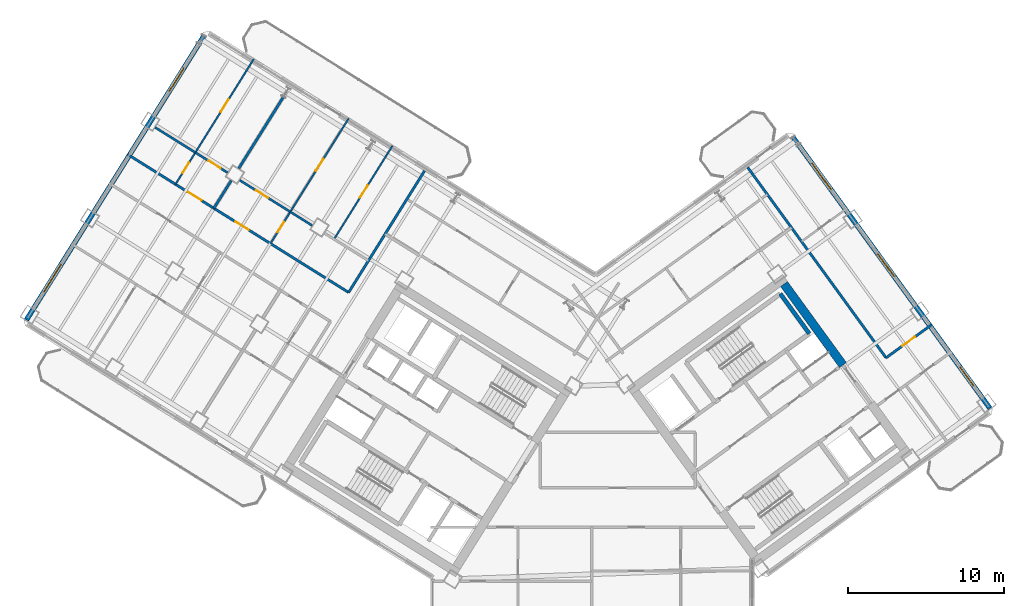
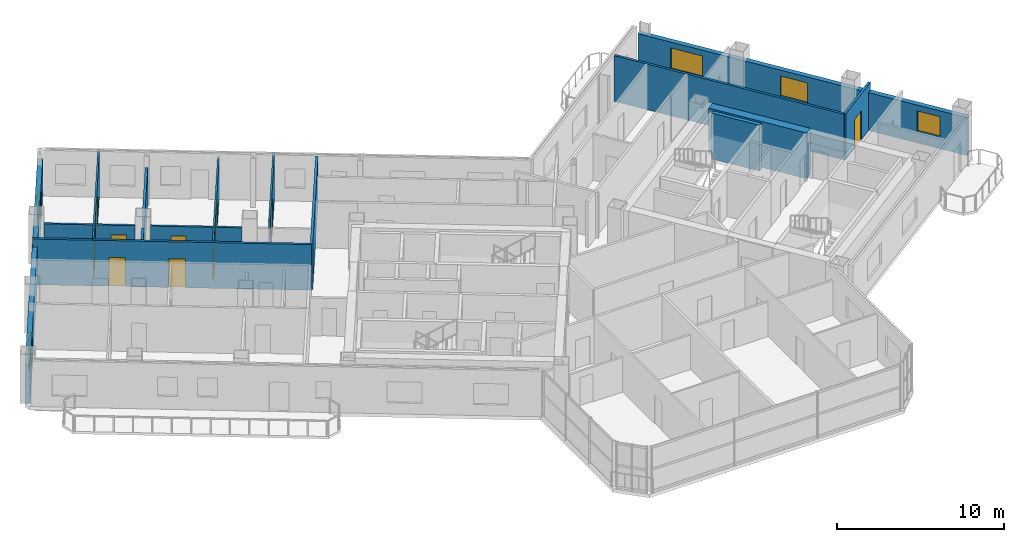
# One storey, part 15 of 21: 17 walls, 10 doors, 5 windows, 15 openings.
"""IFC4 building model written with IfcOpenShell, lengths in metres."""

from ifc_helpers import new_model, si_unit, direction, frame, frame_2d, origin, place, context, subcontext, project, spatial, rectangle, extrude, source, transform, mapped, material, layer, layer_set, type_object, element, fill, save


model = new_model("IFC4")

# Units and contexts
model_context = context("Model", 3, precision=1e-05, world=origin(), true_north=direction((0.0, 1.0)))
body_context = subcontext(model_context, "Body", "Model", "MODEL_VIEW")
ifc_project = project(units=[si_unit("LENGTHUNIT", "METRE"), si_unit("AREAUNIT", "SQUARE_METRE"), si_unit("VOLUMEUNIT", "CUBIC_METRE"), si_unit("PLANEANGLEUNIT", "RADIAN"), si_unit("MASSUNIT", "GRAM", prefix="KILO")], contexts=[model_context])

# Site, building, storey
site_placement = place(None, origin())
site = spatial("IfcSite", under=ifc_project, at=site_placement, CompositionType="ELEMENT")
building_placement = place(site_placement, origin())
building = spatial("IfcBuilding", under=site, at=building_placement, Name="Tlacorven Tower", CompositionType="ELEMENT")
storey_placement = place(building_placement, frame((0.0, 0.0, 119.699951171875)))
storey = spatial("IfcBuildingStorey", under=building, at=storey_placement, Name="L30", CompositionType="ELEMENT", Elevation=119.699951171875)

# Walls
ifc_material_1 = material(Name="Concrete C60/75", Category="concrete")
ifc_layer_1 = layer(ifc_material_1, 0.550048828125)
ifc_layer_set_1 = layer_set([ifc_layer_1], Name="Concrete C60/75")
wall_type_1 = type_object("IfcWallType", Name="WL-COR-550", PredefinedType="SHEAR", material=ifc_layer_set_1)
wall_1_placement = place(storey_placement, frame((58.06396484375, 25.8134765625, 0.0), z_axis=(0.0, 0.0, 1.0), x_axis=(-0.587764933797, 0.809031756236, 0.0)))
element("IfcWall", 1, at=wall_1_placement, inside=storey, type_object=wall_type_1, Name="L30 E core end wall E2.2", PredefinedType="SHEAR", context=body_context, shape_type="SweptSolid", body=[
    extrude(rectangle(XDim=6.425048828125, YDim=0.550048828125, at=frame_2d((3.21240234375, 0.0))), origin(), (0.0, 0.0, 1.0), 3.35009765625),
])
ifc_material_2 = material(Name="Gypsum plasterboard acoustic partition", Category="gypsum")
ifc_layer_2 = layer(ifc_material_2, 0.159912109375)
ifc_layer_set_2 = layer_set([ifc_layer_2], Name="Gypsum plasterboard acoustic partition")
wall_type_2 = type_object("IfcWallType", Name="WL-DEM-160", PredefinedType="PARTITIONING", material=ifc_layer_set_2)
wall_2_placement = place(storey_placement, frame((31.238525390625, 38.27392578125, 0.0), z_axis=(0.0, 0.0, 1.0), x_axis=(-0.529920220799, -0.848047498427, 0.0)))
element("IfcWall", 2, at=wall_2_placement, inside=storey, type_object=wall_type_2, Name="L30 partition 45", PredefinedType="PARTITIONING", context=body_context, shape_type="SweptSolid", body=[
    extrude(rectangle(XDim=9.199951171875, YDim=0.159912109375, at=frame_2d((4.60009765625, 0.0))), origin(), (0.0, 0.0, 1.0), 3.340087890625),
])

# Wall, openings, doors
wall_3_placement = place(storey_placement, frame((26.36328125, 30.471923828125, 0.0), z_axis=(0.0, 0.0, 1.0), x_axis=(-0.848052408131, 0.529912363569, 0.0)))
wall_3 = element("IfcWall", 3, at=wall_3_placement, inside=storey, type_object=wall_type_2, Name="L30 Wing W Corridor South Wall", PredefinedType="PARTITIONING", context=body_context, shape_type="SweptSolid", body=[
    extrude(rectangle(XDim=16.72998046875, YDim=0.159912109375, at=frame_2d((8.364990234375, 0.0))), origin(), (0.0, 0.0, 1.0), 3.340087890625),
])
opening_1_placement = place(wall_3_placement, frame((7.550048828125, 0.0, 0.0)))
opening_1 = element("IfcOpeningElement", 4, at=opening_1_placement, cuts=wall_3, Name="Opening D11", PredefinedType="OPENING", context=body_context, shape_type="SweptSolid", body=[
    extrude(rectangle(XDim=1.0, YDim=2.10009765625, at=frame_2d((0.5, 1.050048828125))), frame((0.0, 0.08984375, 0.0), z_axis=(0.0, -1.0, 0.0), x_axis=(1.0, 0.0, 0.0)), (0.0, 0.0, 1.0), 0.179931640625),
])
opening_2_placement = place(wall_3_placement, frame((11.139892578125, 0.0, 0.0)))
opening_2 = element("IfcOpeningElement", 5, at=opening_2_placement, cuts=wall_3, Name="Opening D11", PredefinedType="OPENING", context=body_context, shape_type="SweptSolid", body=[
    extrude(rectangle(XDim=1.0, YDim=2.10009765625, at=frame_2d((0.5, 1.050048828125))), frame((0.0, 0.08984375, 0.0), z_axis=(0.0, -1.0, 0.0), x_axis=(1.0, 0.0, 0.0)), (0.0, 0.0, 1.0), 0.179931640625),
])
ifc_material_3 = material(Name="Fire-rated steel door assembly", Category="steel")
door_type_1 = type_object("IfcDoorType", Name="DR-FLT-FD60-1000", OperationType="NOTDEFINED", PredefinedType="DOOR", material=ifc_material_3)
shared_shape_1 = source(origin(), body_context, "Body", "SweptSolid", [
    extrude(rectangle(XDim=1.0, YDim=2.10009765625, at=frame_2d((0.5, 1.050048828125))), frame((0.0, 0.02490234375, 0.0), z_axis=(0.0, -1.0, 0.0), x_axis=(1.0, 0.0, 0.0)), (0.0, 0.0, 1.0), 0.050048828125),
])
door_1_placement = place(opening_1_placement, origin())
door_1 = element("IfcDoor", 6, at=door_1_placement, inside=storey, type_object=door_type_1, Name="L30 door 030", OperationType="SINGLE_SWING_LEFT", OverallHeight=2.10009765625, OverallWidth=1.0, PredefinedType="DOOR", context=body_context, shape_type="MappedRepresentation", body=[
    mapped(shared_shape_1, transform((0.0, 0.0, 0.0), scale=1.0)),
])
fill(opening_1, door_1)
door_2_placement = place(opening_2_placement, origin())
door_2 = element("IfcDoor", 7, at=door_2_placement, inside=storey, type_object=door_type_1, Name="L30 door 036", OperationType="SINGLE_SWING_LEFT", OverallHeight=2.10009765625, OverallWidth=1.0, PredefinedType="DOOR", context=body_context, shape_type="MappedRepresentation", body=[
    mapped(shared_shape_1, transform((0.0, 0.0, 0.0), scale=1.0)),
])
fill(opening_2, door_2)

# Walls
wall_4_placement = place(storey_placement, frame((22.179931640625, 43.00634765625, 0.0), z_axis=(0.0, 0.0, 1.0), x_axis=(-0.529913610495, -0.848051628978, 0.0)))
element("IfcWall", 8, at=wall_4_placement, inside=storey, type_object=wall_type_2, Name="L30 WS Demising Wall 1", PredefinedType="PARTITIONING", context=body_context, shape_type="SweptSolid", body=[
    extrude(rectangle(XDim=5.40087890625, YDim=0.159912109375, at=frame_2d((2.700439453125, 0.0))), origin(), (0.0, 0.0, 1.0), 2.775146484375),
])
wall_5_placement = place(storey_placement, frame((18.828125, 37.642578125, 0.0), z_axis=(0.0, 0.0, 1.0), x_axis=(-0.529904345651, -0.848057418139, 0.0)))
element("IfcWall", 9, at=wall_5_placement, inside=storey, type_object=wall_type_2, Name="L30 WS Demising Wall 1", PredefinedType="PARTITIONING", context=body_context, shape_type="SweptSolid", body=[
    extrude(rectangle(XDim=2.087890625, YDim=0.159912109375, at=frame_2d((1.0439453125, 0.0))), origin(), (0.0, 0.0, 1.0), 2.775146484375),
])
wall_6_placement = place(storey_placement, frame((60.829345703125, 26.277587890625, 0.0), z_axis=(0.0, 0.0, 1.0), x_axis=(-0.587777474174, 0.809022645451, 0.0)))
element("IfcWall", 10, at=wall_6_placement, inside=storey, type_object=wall_type_2, Name="L30 partition 90", PredefinedType="PARTITIONING", context=body_context, shape_type="SweptSolid", body=[
    extrude(rectangle(XDim=15.10009765625, YDim=0.159912109375, at=frame_2d((7.550048828125, 0.0))), origin(), (0.0, 0.0, 1.0), 3.340087890625),
])

# Wall, opening, door
wall_7_placement = place(storey_placement, frame((60.829345703125, 26.277587890625, 0.0), z_axis=(0.0, 0.0, 1.0), x_axis=(0.809003564202, 0.587803736896, 0.0)))
wall_7 = element("IfcWall", 11, at=wall_7_placement, inside=storey, type_object=wall_type_2, Name="L30 partition 93", PredefinedType="PARTITIONING", context=body_context, shape_type="SweptSolid", body=[
    extrude(rectangle(XDim=3.630126953125, YDim=0.159912109375, at=frame_2d((1.81494140625, 0.0))), origin(), (0.0, 0.0, 1.0), 3.340087890625),
])
opening_3_placement = place(wall_7_placement, frame((1.304931640625, 0.0, 0.0)))
opening_3 = element("IfcOpeningElement", 12, at=opening_3_placement, cuts=wall_7, Name="Opening D11", PredefinedType="OPENING", context=body_context, shape_type="SweptSolid", body=[
    extrude(rectangle(XDim=1.0, YDim=2.10009765625, at=frame_2d((0.5, 1.050048828125))), frame((0.0, 0.08984375, 0.0), z_axis=(0.0, -1.0, 0.0), x_axis=(1.0, 0.0, 0.0)), (0.0, 0.0, 1.0), 0.179931640625),
])
door_3_placement = place(opening_3_placement, origin())
door_3 = element("IfcDoor", 13, at=door_3_placement, inside=storey, type_object=door_type_1, Name="L30 door 058", OperationType="SINGLE_SWING_LEFT", OverallHeight=2.10009765625, OverallWidth=1.0, PredefinedType="DOOR", context=body_context, shape_type="MappedRepresentation", body=[
    mapped(shared_shape_1, transform((0.0, 0.0, 0.0), scale=1.0)),
])
fill(opening_3, door_3)

# Wall, openings, windows
ifc_material_4 = material(Name="Precast concrete C45/55", Category="concrete")
ifc_layer_3 = layer(ifc_material_4, 0.320068359375)
ifc_layer_set_3 = layer_set([ifc_layer_3], Name="Precast concrete C45/55")
wall_type_3 = type_object("IfcWallType", Name="WL-EXT-320", PredefinedType="STANDARD", material=ifc_layer_set_3)
wall_8_placement = place(storey_placement, frame((5.699951171875, 28.71044921875, 0.0), z_axis=(0.0, 0.0, 1.0), x_axis=(0.529923711467, 0.8480453172, 0.0)))
wall_8 = element("IfcWall", 14, at=wall_8_placement, inside=storey, type_object=wall_type_3, Name="L30 Masonry-Frame Recessed Facade Wall 2", PredefinedType="STANDARD", context=body_context, shape_type="SweptSolid", body=[
    extrude(rectangle(XDim=21.58740234375, YDim=0.320068359375, at=frame_2d((10.793701171875, 0.0))), origin(), (0.0, 0.0, 1.0), 2.775146484375),
])
opening_4_placement = place(wall_8_placement, frame((2.11865234375, 0.0, 0.800048828125)))
opening_4 = element("IfcOpeningElement", 15, at=opening_4_placement, cuts=wall_8, Name="Opening WN04", PredefinedType="OPENING", context=body_context, shape_type="SweptSolid", body=[
    extrude(rectangle(XDim=2.10009765625, YDim=1.550048828125, at=frame_2d((1.050048828125, 0.77490234375))), frame((0.0, 0.169921875, 0.0), z_axis=(0.0, -1.0, 0.0), x_axis=(1.0, 0.0, 0.0)), (0.0, 0.0, 1.0), 0.340087890625),
])
opening_5_placement = place(wall_8_placement, frame((17.256103515625, 0.0, 0.85009765625)))
opening_5 = element("IfcOpeningElement", 16, at=opening_5_placement, cuts=wall_8, Name="Opening WN01", PredefinedType="OPENING", context=body_context, shape_type="SweptSolid", body=[
    extrude(rectangle(XDim=1.800048828125, YDim=1.5, at=frame_2d((0.89990234375, 0.75))), frame((0.0, 0.169921875, 0.0), z_axis=(0.0, -1.0, 0.0), x_axis=(1.0, 0.0, 0.0)), (0.0, 0.0, 1.0), 0.340087890625),
])
ifc_material_5 = material(Name="Dark solar low-E double glazing in anodised aluminium frame", Category="aluminium")
window_type_1 = type_object("IfcWindowType", Name="WN-APT-2100X1750", PartitioningType="SINGLE_PANEL", PredefinedType="WINDOW", material=ifc_material_5)
shared_shape_2 = source(origin(), body_context, "Body", "SweptSolid", [
    extrude(rectangle(XDim=2.10009765625, YDim=1.550048828125, at=frame_2d((1.050048828125, 0.77490234375))), frame((0.0, 0.030029296875, 0.0), z_axis=(0.0, -1.0, 0.0), x_axis=(1.0, 0.0, 0.0)), (0.0, 0.0, 1.0), 0.06005859375),
])
window_1_placement = place(opening_4_placement, origin())
window_1 = element("IfcWindow", 17, at=window_1_placement, inside=storey, type_object=window_type_1, Name="L30 Recessed Masonry-Frame Window L30-02.1", OverallHeight=1.550048828125, OverallWidth=2.10009765625, PartitioningType="SINGLE_PANEL", PredefinedType="WINDOW", context=body_context, shape_type="MappedRepresentation", body=[
    mapped(shared_shape_2, transform((0.0, 0.0, 0.0), scale=1.0)),
])
fill(opening_4, window_1)
window_type_2 = type_object("IfcWindowType", Name="WN-APT-1800X1650", PartitioningType="SINGLE_PANEL", PredefinedType="WINDOW", material=ifc_material_5)
shared_shape_3 = source(origin(), body_context, "Body", "SweptSolid", [
    extrude(rectangle(XDim=1.800048828125, YDim=1.5, at=frame_2d((0.89990234375, 0.75))), frame((0.0, 0.030029296875, 0.0), z_axis=(0.0, -1.0, 0.0), x_axis=(1.0, 0.0, 0.0)), (0.0, 0.0, 1.0), 0.06005859375),
])
window_2_placement = place(opening_5_placement, origin())
window_2 = element("IfcWindow", 18, at=window_2_placement, inside=storey, type_object=window_type_2, Name="L30 Recessed Masonry-Frame Window L30-02.2", OverallHeight=1.5, OverallWidth=1.800048828125, PartitioningType="SINGLE_PANEL", PredefinedType="WINDOW", context=body_context, shape_type="MappedRepresentation", body=[
    mapped(shared_shape_3, transform((0.0, 0.0, 0.0), scale=1.0)),
])
fill(opening_5, window_2)

wall_9_placement = place(storey_placement, frame((54.810302734375, 40.49951171875, 0.0), z_axis=(0.0, 0.0, 1.0), x_axis=(0.587783625747, -0.809018176127, 0.0)))
wall_9 = element("IfcWall", 19, at=wall_9_placement, inside=storey, type_object=wall_type_3, Name="L30 Masonry-Frame Recessed Facade Wall 5", PredefinedType="STANDARD", context=body_context, shape_type="SweptSolid", body=[
    extrude(rectangle(XDim=21.58740234375, YDim=0.320068359375, at=frame_2d((10.793701171875, 0.0))), origin(), (0.0, 0.0, 1.0), 2.775146484375),
])
opening_6_placement = place(wall_9_placement, frame((2.142578125, 0.0, 0.800048828125)))
opening_6 = element("IfcOpeningElement", 20, at=opening_6_placement, cuts=wall_9, Name="Opening WN04", PredefinedType="OPENING", context=body_context, shape_type="SweptSolid", body=[
    extrude(rectangle(XDim=2.10009765625, YDim=1.550048828125, at=frame_2d((1.050048828125, 0.77490234375))), frame((0.0, 0.169921875, 0.0), z_axis=(0.0, -1.0, 0.0), x_axis=(1.0, 0.0, 0.0)), (0.0, 0.0, 1.0), 0.340087890625),
])
opening_7_placement = place(wall_9_placement, frame((9.34375, 0.0, 0.85009765625)))
opening_7 = element("IfcOpeningElement", 21, at=opening_7_placement, cuts=wall_9, Name="Opening WN01", PredefinedType="OPENING", context=body_context, shape_type="SweptSolid", body=[
    extrude(rectangle(XDim=1.800048828125, YDim=1.5, at=frame_2d((0.89990234375, 0.75))), frame((0.0, 0.169921875, 0.0), z_axis=(0.0, -1.0, 0.0), x_axis=(1.0, 0.0, 0.0)), (0.0, 0.0, 1.0), 0.340087890625),
])
opening_8_placement = place(wall_9_placement, frame((18.30859375, 0.0, 0.85009765625)))
opening_8 = element("IfcOpeningElement", 22, at=opening_8_placement, cuts=wall_9, Name="Opening WN02", PredefinedType="OPENING", context=body_context, shape_type="SweptSolid", body=[
    extrude(rectangle(XDim=1.5, YDim=1.5, at=frame_2d((0.75, 0.75))), frame((0.0, 0.169921875, 0.0), z_axis=(0.0, -1.0, 0.0), x_axis=(1.0, 0.0, 0.0)), (0.0, 0.0, 1.0), 0.340087890625),
])
window_3_placement = place(opening_6_placement, origin())
window_3 = element("IfcWindow", 23, at=window_3_placement, inside=storey, type_object=window_type_1, Name="L30 Recessed Masonry-Frame Window L30-05.1", OverallHeight=1.550048828125, OverallWidth=2.10009765625, PartitioningType="SINGLE_PANEL", PredefinedType="WINDOW", context=body_context, shape_type="MappedRepresentation", body=[
    mapped(shared_shape_2, transform((0.0, 0.0, 0.0), scale=1.0)),
])
fill(opening_6, window_3)
window_4_placement = place(opening_7_placement, origin())
window_4 = element("IfcWindow", 24, at=window_4_placement, inside=storey, type_object=window_type_2, Name="L30 Recessed Masonry-Frame Window L30-05.2", OverallHeight=1.5, OverallWidth=1.800048828125, PartitioningType="SINGLE_PANEL", PredefinedType="WINDOW", context=body_context, shape_type="MappedRepresentation", body=[
    mapped(shared_shape_3, transform((0.0, 0.0, 0.0), scale=1.0)),
])
fill(opening_7, window_4)
window_type_3 = type_object("IfcWindowType", Name="WN-APT-1500X1650", PartitioningType="SINGLE_PANEL", PredefinedType="WINDOW", material=ifc_material_5)
shared_shape_4 = source(origin(), body_context, "Body", "SweptSolid", [
    extrude(rectangle(XDim=1.5, YDim=1.5, at=frame_2d((0.75, 0.75))), frame((0.0, 0.030029296875, 0.0), z_axis=(0.0, -1.0, 0.0), x_axis=(1.0, 0.0, 0.0)), (0.0, 0.0, 1.0), 0.06005859375),
])
window_5_placement = place(opening_8_placement, origin())
window_5 = element("IfcWindow", 25, at=window_5_placement, inside=storey, type_object=window_type_3, Name="L30 Recessed Masonry-Frame Window L30-05.3", OverallHeight=1.5, OverallWidth=1.5, PartitioningType="SINGLE_PANEL", PredefinedType="WINDOW", context=body_context, shape_type="MappedRepresentation", body=[
    mapped(shared_shape_4, transform((0.0, 0.0, 0.0), scale=1.0)),
])
fill(opening_8, window_5)

# Wall, openings, doors
ifc_material_6 = material(Name="Gypsum plasterboard partition", Category="gypsum")
ifc_layer_4 = layer(ifc_material_6, 0.110107421875)
ifc_layer_set_4 = layer_set([ifc_layer_4], Name="Gypsum plasterboard partition")
wall_type_4 = type_object("IfcWallType", Name="WL-INT-110", PredefinedType="PARTITIONING", material=ifc_layer_set_4)
wall_10_placement = place(storey_placement, frame((26.36962890625, 41.634765625, 0.0), z_axis=(0.0, 0.0, 1.0), x_axis=(-0.529917830441, -0.848048992088, 0.0)))
wall_10 = element("IfcWall", 26, at=wall_10_placement, inside=storey, type_object=wall_type_4, Name="L30 partition 57", PredefinedType="PARTITIONING", context=body_context, shape_type="SweptSolid", body=[
    extrude(rectangle(XDim=9.469970703125, YDim=0.110107421875, at=frame_2d((4.73486328125, 0.0))), origin(), (0.0, 0.0, 1.0), 2.9951171875),
])
opening_9_placement = place(wall_10_placement, frame((7.830078125, 0.0, 0.0)))
opening_9 = element("IfcOpeningElement", 27, at=opening_9_placement, cuts=wall_10, Name="Opening D22", PredefinedType="OPENING", context=body_context, shape_type="SweptSolid", body=[
    extrude(rectangle(XDim=0.780029296875, YDim=2.050048828125, at=frame_2d((0.39013671875, 1.02490234375))), frame((0.0, 0.06494140625, 0.0), z_axis=(0.0, -1.0, 0.0), x_axis=(1.0, 0.0, 0.0)), (0.0, 0.0, 1.0), 0.130126953125),
])
opening_10_placement = place(wall_10_placement, frame((3.074951171875, 0.0, 0.0)))
opening_10 = element("IfcOpeningElement", 28, at=opening_10_placement, cuts=wall_10, Name="Opening D12", PredefinedType="OPENING", context=body_context, shape_type="SweptSolid", body=[
    extrude(rectangle(XDim=0.919921875, YDim=2.080078125, at=frame_2d((0.4599609375, 1.0400390625))), frame((0.0, 0.06494140625, 0.0), z_axis=(0.0, -1.0, 0.0), x_axis=(1.0, 0.0, 0.0)), (0.0, 0.0, 1.0), 0.130126953125),
])
ifc_material_7 = material(Name="Powder-coated aluminium and timber door", Category="wood")
door_type_2 = type_object("IfcDoorType", Name="DR-INT-WET-0780", OperationType="NOTDEFINED", PredefinedType="DOOR", material=ifc_material_7)
shared_shape_5 = source(origin(), body_context, "Body", "SweptSolid", [
    extrude(rectangle(XDim=0.780029296875, YDim=2.050048828125, at=frame_2d((0.39013671875, 1.02490234375))), frame((0.0, 0.02490234375, 0.0), z_axis=(0.0, -1.0, 0.0), x_axis=(1.0, 0.0, 0.0)), (0.0, 0.0, 1.0), 0.050048828125),
])
door_4_placement = place(opening_9_placement, origin())
door_4 = element("IfcDoor", 29, at=door_4_placement, inside=storey, type_object=door_type_2, Name="L30 door 032", OperationType="SINGLE_SWING_LEFT", OverallHeight=2.050048828125, OverallWidth=0.780029296875, PredefinedType="DOOR", context=body_context, shape_type="MappedRepresentation", body=[
    mapped(shared_shape_5, transform((0.0, 0.0, 0.0), scale=1.0)),
])
fill(opening_9, door_4)
door_type_3 = type_object("IfcDoorType", Name="DR-INT-ROOM-0920", OperationType="NOTDEFINED", PredefinedType="DOOR", material=ifc_material_7)
shared_shape_6 = source(origin(), body_context, "Body", "SweptSolid", [
    extrude(rectangle(XDim=0.919921875, YDim=2.080078125, at=frame_2d((0.4599609375, 1.0400390625))), frame((0.0, 0.02490234375, 0.0), z_axis=(0.0, -1.0, 0.0), x_axis=(1.0, 0.0, 0.0)), (0.0, 0.0, 1.0), 0.050048828125),
])
door_5_placement = place(opening_10_placement, origin())
door_5 = element("IfcDoor", 30, at=door_5_placement, inside=storey, type_object=door_type_3, Name="L30 door 033", OperationType="SINGLE_SWING_RIGHT", OverallHeight=2.080078125, OverallWidth=0.919921875, PredefinedType="DOOR", context=body_context, shape_type="MappedRepresentation", body=[
    mapped(shared_shape_6, transform((0.0, 0.0, 0.0), scale=1.0)),
])
fill(opening_10, door_5)

# Wall, opening, door
wall_11_placement = place(storey_placement, frame((29.1767578125, 39.880615234375, 0.0), z_axis=(0.0, 0.0, 1.0), x_axis=(-0.529930649952, -0.848040981463, 0.0)))
wall_11 = element("IfcWall", 31, at=wall_11_placement, inside=storey, type_object=wall_type_4, Name="L30 partition 61", PredefinedType="PARTITIONING", context=body_context, shape_type="SweptSolid", body=[
    extrude(rectangle(XDim=7.070068359375, YDim=0.110107421875, at=frame_2d((3.53515625, 0.0))), origin(), (0.0, 0.0, 1.0), 3.340087890625),
])
opening_11_placement = place(wall_11_placement, frame((3.0, 0.0, 0.0)))
opening_11 = element("IfcOpeningElement", 32, at=opening_11_placement, cuts=wall_11, Name="Opening D12", PredefinedType="OPENING", context=body_context, shape_type="SweptSolid", body=[
    extrude(rectangle(XDim=0.919921875, YDim=2.080078125, at=frame_2d((0.4599609375, 1.0400390625))), frame((0.0, 0.06494140625, 0.0), z_axis=(0.0, -1.0, 0.0), x_axis=(1.0, 0.0, 0.0)), (0.0, 0.0, 1.0), 0.130126953125),
])
door_6_placement = place(opening_11_placement, origin())
door_6 = element("IfcDoor", 33, at=door_6_placement, inside=storey, type_object=door_type_3, Name="L30 door 034", OperationType="SINGLE_SWING_LEFT", OverallHeight=2.080078125, OverallWidth=0.919921875, PredefinedType="DOOR", context=body_context, shape_type="MappedRepresentation", body=[
    mapped(shared_shape_6, transform((0.0, 0.0, 0.0), scale=1.0)),
])
fill(opening_11, door_6)

# Wall, openings, doors
wall_12_placement = place(storey_placement, frame((20.280517578125, 45.439697265625, 0.0), z_axis=(0.0, 0.0, 1.0), x_axis=(-0.529917830441, -0.848048992088, 0.0)))
wall_12 = element("IfcWall", 34, at=wall_12_placement, inside=storey, type_object=wall_type_4, Name="L30 partition 62", PredefinedType="PARTITIONING", context=body_context, shape_type="SweptSolid", body=[
    extrude(rectangle(XDim=9.469970703125, YDim=0.110107421875, at=frame_2d((4.73486328125, 0.0))), origin(), (0.0, 0.0, 1.0), 3.340087890625),
])
opening_12_placement = place(wall_12_placement, frame((7.830078125, 0.0, 0.0)))
opening_12 = element("IfcOpeningElement", 35, at=opening_12_placement, cuts=wall_12, Name="Opening D22", PredefinedType="OPENING", context=body_context, shape_type="SweptSolid", body=[
    extrude(rectangle(XDim=0.780029296875, YDim=2.050048828125, at=frame_2d((0.39013671875, 1.02490234375))), frame((0.0, 0.06494140625, 0.0), z_axis=(0.0, -1.0, 0.0), x_axis=(1.0, 0.0, 0.0)), (0.0, 0.0, 1.0), 0.130126953125),
])
opening_13_placement = place(wall_12_placement, frame((3.074951171875, 0.0, 0.0)))
opening_13 = element("IfcOpeningElement", 36, at=opening_13_placement, cuts=wall_12, Name="Opening D12", PredefinedType="OPENING", context=body_context, shape_type="SweptSolid", body=[
    extrude(rectangle(XDim=0.919921875, YDim=2.080078125, at=frame_2d((0.4599609375, 1.0400390625))), frame((0.0, 0.06494140625, 0.0), z_axis=(0.0, -1.0, 0.0), x_axis=(1.0, 0.0, 0.0)), (0.0, 0.0, 1.0), 0.130126953125),
])
door_7_placement = place(opening_12_placement, origin())
door_7 = element("IfcDoor", 37, at=door_7_placement, inside=storey, type_object=door_type_2, Name="L30 door 038", OperationType="SINGLE_SWING_LEFT", OverallHeight=2.050048828125, OverallWidth=0.780029296875, PredefinedType="DOOR", context=body_context, shape_type="MappedRepresentation", body=[
    mapped(shared_shape_5, transform((0.0, 0.0, 0.0), scale=1.0)),
])
fill(opening_12, door_7)
door_8_placement = place(opening_13_placement, origin())
door_8 = element("IfcDoor", 38, at=door_8_placement, inside=storey, type_object=door_type_3, Name="L30 door 039", OperationType="SINGLE_SWING_RIGHT", OverallHeight=2.080078125, OverallWidth=0.919921875, PredefinedType="DOOR", context=body_context, shape_type="MappedRepresentation", body=[
    mapped(shared_shape_6, transform((0.0, 0.0, 0.0), scale=1.0)),
])
fill(opening_13, door_8)

# Wall, opening, door
ifc_material_8 = material(Name="Moisture-resistant gypsum plumbing wall", Category="gypsum")
ifc_layer_5 = layer(ifc_material_8, 0.139892578125)
ifc_layer_set_5 = layer_set([ifc_layer_5], Name="Moisture-resistant gypsum plumbing wall")
wall_type_5 = type_object("IfcWallType", Name="WL-PLM-140", PredefinedType="PLUMBINGWALL", material=ifc_layer_set_5)
wall_13_placement = place(storey_placement, frame((22.623046875, 35.63916015625, 0.0), z_axis=(0.0, 0.0, 1.0), x_axis=(-0.8480485946, 0.529918466555, 0.0)))
wall_13 = element("IfcWall", 39, at=wall_13_placement, inside=storey, type_object=wall_type_5, Name="L30 partition 59", PredefinedType="PLUMBINGWALL", context=body_context, shape_type="SweptSolid", body=[
    extrude(rectangle(XDim=3.81787109375, YDim=0.139892578125, at=frame_2d((1.908935546875, 0.0))), origin(), (0.0, 0.0, 1.0), 2.775146484375),
])
opening_14_placement = place(wall_13_placement, frame((1.679931640625, 0.0, 0.0)))
opening_14 = element("IfcOpeningElement", 40, at=opening_14_placement, cuts=wall_13, Name="Opening D12", PredefinedType="OPENING", context=body_context, shape_type="SweptSolid", body=[
    extrude(rectangle(XDim=0.919921875, YDim=2.080078125, at=frame_2d((0.4599609375, 1.0400390625))), frame((0.0, 0.080078125, 0.0), z_axis=(0.0, -1.0, 0.0), x_axis=(1.0, 0.0, 0.0)), (0.0, 0.0, 1.0), 0.159912109375),
])
door_9_placement = place(opening_14_placement, origin())
door_9 = element("IfcDoor", 41, at=door_9_placement, inside=storey, type_object=door_type_3, Name="L30 door 031", OperationType="SINGLE_SWING_RIGHT", OverallHeight=2.080078125, OverallWidth=0.919921875, PredefinedType="DOOR", context=body_context, shape_type="MappedRepresentation", body=[
    mapped(shared_shape_6, transform((0.0, 0.0, 0.0), scale=1.0)),
])
fill(opening_14, door_9)

# Wall
wall_14_placement = place(storey_placement, frame((24.029052734375, 34.760498046875, 0.0), z_axis=(0.0, 0.0, 1.0), x_axis=(-0.848023120795, 0.529959231071, 0.0)))
element("IfcWall", 42, at=wall_14_placement, inside=storey, type_object=wall_type_5, Name="L30 partition 60", PredefinedType="PLUMBINGWALL", context=body_context, shape_type="SweptSolid", body=[
    extrude(rectangle(XDim=1.657958984375, YDim=0.139892578125, at=frame_2d((0.8291015625, 0.0))), origin(), (0.0, 0.0, 1.0), 2.775146484375),
])

# Wall, opening, door
wall_15_placement = place(storey_placement, frame((18.6015625, 38.15185546875, 0.0), z_axis=(0.0, 0.0, 1.0), x_axis=(-0.848020807548, 0.529962932634, 0.0)))
wall_15 = element("IfcWall", 43, at=wall_15_placement, inside=storey, type_object=wall_type_5, Name="L30 partition 64", PredefinedType="PLUMBINGWALL", context=body_context, shape_type="SweptSolid", body=[
    extrude(rectangle(XDim=2.43798828125, YDim=0.139892578125, at=frame_2d((1.218994140625, 0.0))), origin(), (0.0, 0.0, 1.0), 2.775146484375),
])
opening_15_placement = place(wall_15_placement, frame((0.528076171875, 0.0, 0.0)))
opening_15 = element("IfcOpeningElement", 44, at=opening_15_placement, cuts=wall_15, Name="Opening D12", PredefinedType="OPENING", context=body_context, shape_type="SweptSolid", body=[
    extrude(rectangle(XDim=0.919921875, YDim=2.080078125, at=frame_2d((0.4599609375, 1.0400390625))), frame((0.0, 0.080078125, 0.0), z_axis=(0.0, -1.0, 0.0), x_axis=(1.0, 0.0, 0.0)), (0.0, 0.0, 1.0), 0.159912109375),
])
door_10_placement = place(opening_15_placement, origin())
door_10 = element("IfcDoor", 45, at=door_10_placement, inside=storey, type_object=door_type_3, Name="L30 door 037", OperationType="SINGLE_SWING_RIGHT", OverallHeight=2.080078125, OverallWidth=0.919921875, PredefinedType="DOOR", context=body_context, shape_type="MappedRepresentation", body=[
    mapped(shared_shape_6, transform((0.0, 0.0, 0.0), scale=1.0)),
])
fill(opening_15, door_10)

# Walls
wall_16_placement = place(storey_placement, frame((16.5341796875, 39.44384765625, 0.0), z_axis=(0.0, 0.0, 1.0), x_axis=(-0.848056989933, 0.52990503095, 0.0)))
element("IfcWall", 46, at=wall_16_placement, inside=storey, type_object=wall_type_5, Name="L30 partition 65", PredefinedType="PLUMBINGWALL", context=body_context, shape_type="SweptSolid", body=[
    extrude(rectangle(XDim=3.0380859375, YDim=0.139892578125, at=frame_2d((1.51904296875, 0.0))), origin(), (0.0, 0.0, 1.0), 2.775146484375),
])
ifc_material_9 = material(Name="Concrete C50/60", Category="concrete")
ifc_layer_6 = layer(ifc_material_9, 0.260009765625)
ifc_layer_set_6 = layer_set([ifc_layer_6], Name="Concrete C50/60")
wall_type_6 = type_object("IfcWallType", Name="WL-STW-260", PredefinedType="SHEAR", material=ifc_layer_set_6)
wall_17_placement = place(storey_placement, frame((55.906494140625, 27.83056640625, 0.0), z_axis=(0.0, 0.0, 1.0), x_axis=(-0.587804123638, 0.809003283204, 0.0)))
element("IfcWall", 47, at=wall_17_placement, inside=storey, type_object=wall_type_6, Name="L30 Stair E1 East Shear Wall", PredefinedType="SHEAR", context=body_context, shape_type="SweptSolid", body=[
    extrude(rectangle(XDim=3.159912109375, YDim=0.260009765625, at=frame_2d((1.580078125, 0.0))), origin(), (0.0, 0.0, 1.0), 3.35009765625),
])

save(model, "model.ifc")
